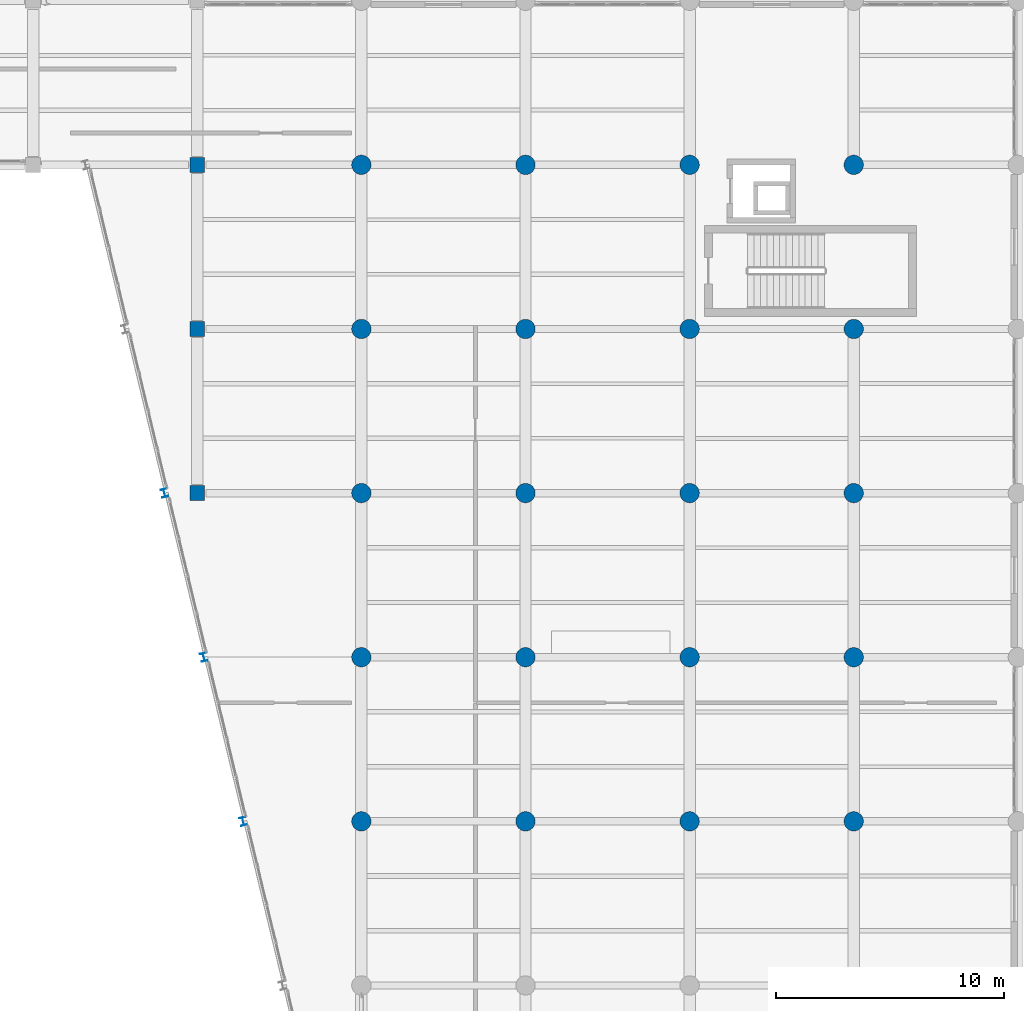
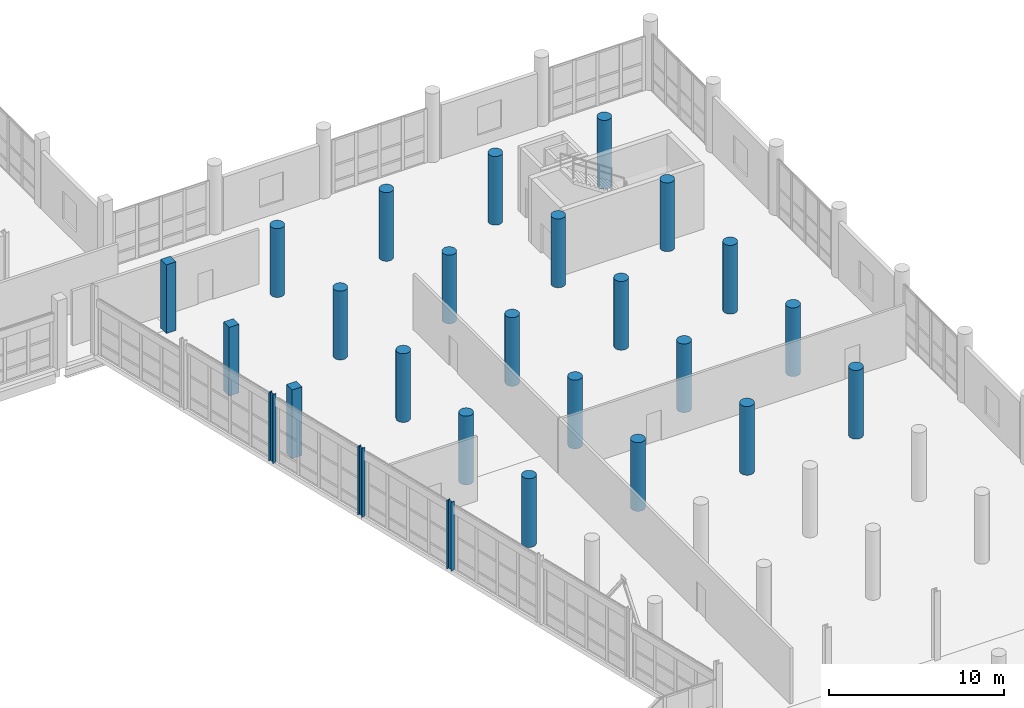
# One storey, part 11 of 127: 26 columns.
"""IFC4 building model written with IfcOpenShell, lengths in metres."""

from ifc_helpers import new_model, si_unit, direction, frame, origin, origin_2d, place, context, subcontext, project, spatial, rectangle, circle, i_section, extrude, material, material_profile, profile_set, type_object, element, save


model = new_model("IFC4")

# Units and contexts
model_context = context("Model", 3, precision=1e-05, world=origin(), true_north=direction((0.0, 1.0)))
body_context = subcontext(model_context, "Body", "Model", "MODEL_VIEW")
ifc_project = project(units=[si_unit("LENGTHUNIT", "METRE"), si_unit("AREAUNIT", "SQUARE_METRE"), si_unit("VOLUMEUNIT", "CUBIC_METRE"), si_unit("PLANEANGLEUNIT", "RADIAN"), si_unit("MASSUNIT", "GRAM", prefix="KILO")], contexts=[model_context])

# Site, building, storey
site_placement = place(None, origin())
site = spatial("IfcSite", under=ifc_project, at=site_placement, CompositionType="ELEMENT")
building_placement = place(site_placement, origin())
building = spatial("IfcBuilding", under=site, at=building_placement, Name="Kalmorath City Hall", CompositionType="ELEMENT")
storey_placement = place(building_placement, frame((0.0, 0.0, 5.39990234375)))
storey = spatial("IfcBuildingStorey", under=building, at=storey_placement, Name="L01", CompositionType="ELEMENT", Elevation=5.39990234375)

# Columns
ifc_material_1 = material(Name="Concrete C50/60", Category="concrete")
ifc_material_profile_1 = material_profile(ifc_material_1, circle(Radius=0.425048828125, at=origin_2d()), Name="RC-COL-D850")
ifc_profile_set_1 = profile_set([ifc_material_profile_1], Name="Concrete C50/60")
column_type_1 = type_object("IfcColumnType", Name="Circular concrete column D850", PredefinedType="COLUMN", material=ifc_profile_set_1)
for number, where, z_axis, x_axis, name in (
    (1, (136.800048828125, 64.800048828125, 0.0), (0.0, 0.0, 1.0), (1.0, 0.0, 0.0), "L01 column C7 (20/10)"),
    (2, (136.800048828125, 72.0, 0.0), (0.0, 0.0, 1.0), (1.0, 0.0, 0.0), "L01 column C7 (20/11)"),
    (3, (136.800048828125, 79.199951171875, 0.0), (0.0, 0.0, 1.0), (1.0, 0.0, 0.0), "L01 column C7 (20/12)"),
    (4, (136.800048828125, 86.39990234375, 0.0), (0.0, 0.0, 1.0), (1.0, 0.0, 0.0), "L01 column C7 (20/13)"),
    (5, (136.800048828125, 93.60009765625, 0.0), (0.0, 0.0, 1.0), (1.0, 0.0, 0.0), "L01 column C7 (20/14)"),
    (6, (144.0, 64.800048828125, 0.0), (0.0, 0.0, 1.0), (1.0, 0.0, 0.0), "L01 column C7 (21/10)"),
    (7, (144.0, 72.0, 0.0), (0.0, 0.0, 1.0), (1.0, 0.0, 0.0), "L01 column C7 (21/11)"),
    (8, (144.0, 79.199951171875, 0.0), (0.0, 0.0, 1.0), (1.0, 0.0, 0.0), "L01 column C7 (21/12)"),
    (9, (144.0, 86.39990234375, 0.0), (0.0, 0.0, 1.0), (1.0, 0.0, 0.0), "L01 column C7 (21/13)"),
    (10, (144.0, 93.60009765625, 0.0), (0.0, 0.0, 1.0), (1.0, 0.0, 0.0), "L01 column C7 (21/14)"),
    (11, (151.199951171875, 64.800048828125, 0.0), (0.0, 0.0, 1.0), (1.0, 0.0, 0.0), "L01 column C7 (22/10)"),
    (12, (151.199951171875, 72.0, 0.0), (0.0, 0.0, 1.0), (1.0, 0.0, 0.0), "L01 column C7 (22/11)"),
    (13, (151.199951171875, 79.199951171875, 0.0), (0.0, 0.0, 1.0), (1.0, 0.0, 0.0), "L01 column C7 (22/12)"),
    (14, (151.199951171875, 86.39990234375, 0.0), (0.0, 0.0, 1.0), (1.0, 0.0, 0.0), "L01 column C7 (22/13)"),
    (15, (151.199951171875, 93.60009765625, 0.0), (0.0, 0.0, 1.0), (1.0, 0.0, 0.0), "L01 column C7 (22/14)"),
    (16, (158.39990234375, 64.800048828125, 0.0), (0.0, 0.0, 1.0), (1.0, 0.0, 0.0), "L01 column C7 (23/10)"),
    (17, (158.39990234375, 72.0, 0.0), (0.0, 0.0, 1.0), (1.0, 0.0, 0.0), "L01 column C7 (23/11)"),
    (18, (158.39990234375, 79.199951171875, 0.0), (0.0, 0.0, 1.0), (1.0, 0.0, 0.0), "L01 column C7 (23/12)"),
    (19, (158.39990234375, 86.39990234375, 0.0), (0.0, 0.0, 1.0), (1.0, 0.0, 0.0), "L01 column C7 (23/13)"),
    (20, (158.39990234375, 93.60009765625, 0.0), (0.0, 0.0, 1.0), (1.0, 0.0, 0.0), "L01 column C7 (23/14)"),
):
    element("IfcColumn", number, at=place(storey_placement, frame(where, z_axis=z_axis, x_axis=x_axis)), inside=storey, type_object=column_type_1, Name=name, PredefinedType="COLUMN", context=body_context, shape_type="SweptSolid", body=[
        extrude(circle(Radius=0.425048828125, at=origin_2d()), origin(), (0.0, 0.0, 1.0), 4.800048828125),
    ])
ifc_material_2 = material(Name="Concrete C50/60", Category="concrete")
ifc_material_profile_2 = material_profile(ifc_material_2, rectangle(XDim=0.64990234375, YDim=0.64990234375, at=origin_2d()), Name="RC-COL-650X650")
ifc_profile_set_2 = profile_set([ifc_material_profile_2], Name="Concrete C50/60")
column_type_2 = type_object("IfcColumnType", Name="Concrete column 650x650", PredefinedType="COLUMN", material=ifc_profile_set_2)
for number, where, z_axis, x_axis, name in (
    (21, (129.60009765625, 79.199951171875, 0.0), (0.0, 0.0, 1.0), (1.0, 0.0, 0.0), "L01 column C5 (19/12)"),
    (22, (129.60009765625, 86.39990234375, 0.0), (0.0, 0.0, 1.0), (1.0, 0.0, 0.0), "L01 column C5 (19/13)"),
    (23, (129.60009765625, 93.60009765625, 0.0), (0.0, 0.0, 1.0), (1.0, 0.0, 0.0), "L01 column C5 (19/14)"),
):
    element("IfcColumn", number, at=place(storey_placement, frame(where, z_axis=z_axis, x_axis=x_axis)), inside=storey, type_object=column_type_2, Name=name, PredefinedType="COLUMN", context=body_context, shape_type="SweptSolid", body=[
        extrude(rectangle(XDim=0.64990234375, YDim=0.64990234375, at=origin_2d()), origin(), (0.0, 0.0, 1.0), 4.800048828125),
    ])
ifc_material_3 = material(Name="Steel ASTM A992 Grade 50", Category="steel")
ifc_material_profile_3 = material_profile(ifc_material_3, i_section(OverallWidth=0.256103515625, OverallDepth=0.360107421875, WebThickness=0.011474609375, FlangeThickness=0.02001953125, FilletRadius=0.014892578125, at=origin_2d()), Name="W14X74")
ifc_profile_set_3 = profile_set([ifc_material_profile_3], Name="Steel ASTM A992 Grade 50")
column_type_3 = type_object("IfcColumnType", Name="Steel wide-flange column W14X74", PredefinedType="COLUMN", material=ifc_profile_set_3)
for number, where, z_axis, x_axis, name in (
    (24, (131.6142578125, 64.800048828125, 0.0), (0.0, 0.0, 1.0), (0.972369920398, 0.233445363856, 0.0), "L01 library splay column SC4-4"),
    (25, (129.8857421875, 72.0, 0.0), (0.0, 0.0, 1.0), (0.972369920398, 0.233445363856, 0.0), "L01 library splay column SC4-5"),
    (26, (128.1572265625, 79.199951171875, 0.0), (0.0, 0.0, 1.0), (0.972369920398, 0.233445363856, 0.0), "L01 library splay column SC4-6"),
):
    element("IfcColumn", number, at=place(storey_placement, frame(where, z_axis=z_axis, x_axis=x_axis)), inside=storey, type_object=column_type_3, Name=name, PredefinedType="COLUMN", context=body_context, shape_type="SweptSolid", body=[
        extrude(i_section(OverallWidth=0.256103515625, OverallDepth=0.360107421875, WebThickness=0.011474609375, FlangeThickness=0.02001953125, FilletRadius=0.014892578125, at=origin_2d()), origin(), (0.0, 0.0, 1.0), 4.800048828125),
    ])

save(model, "model.ifc")
